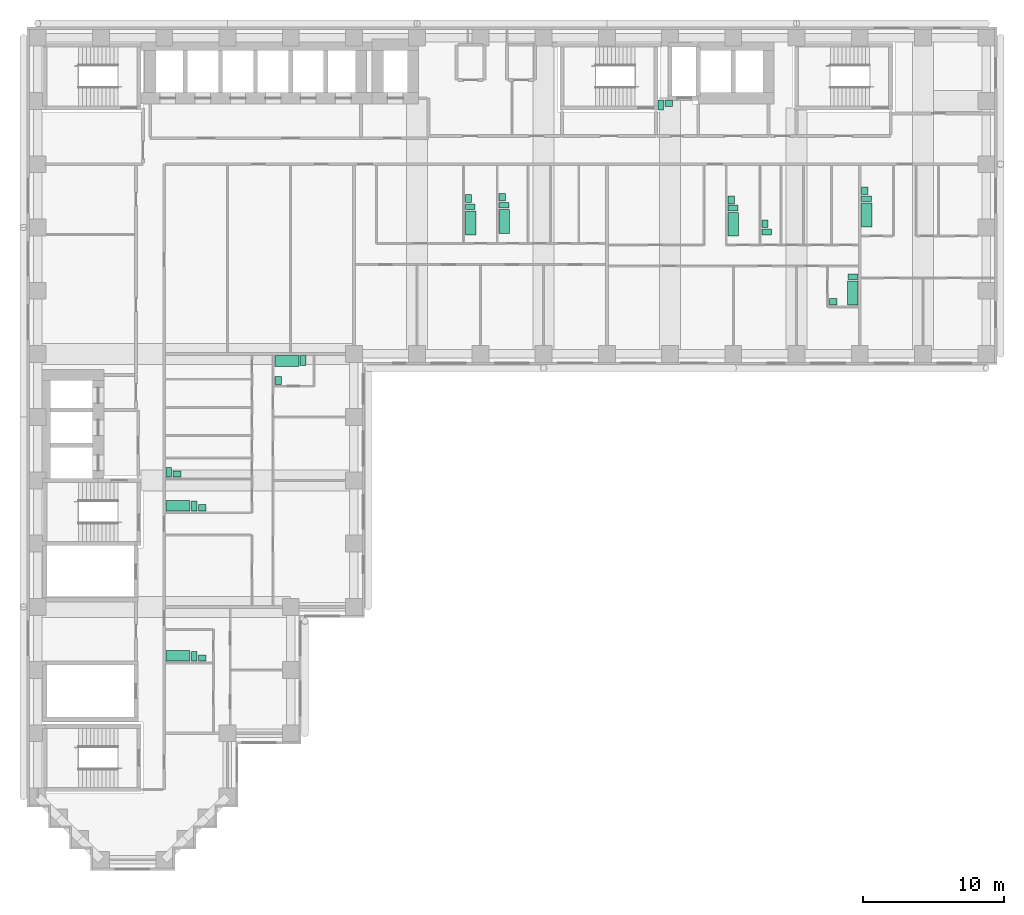
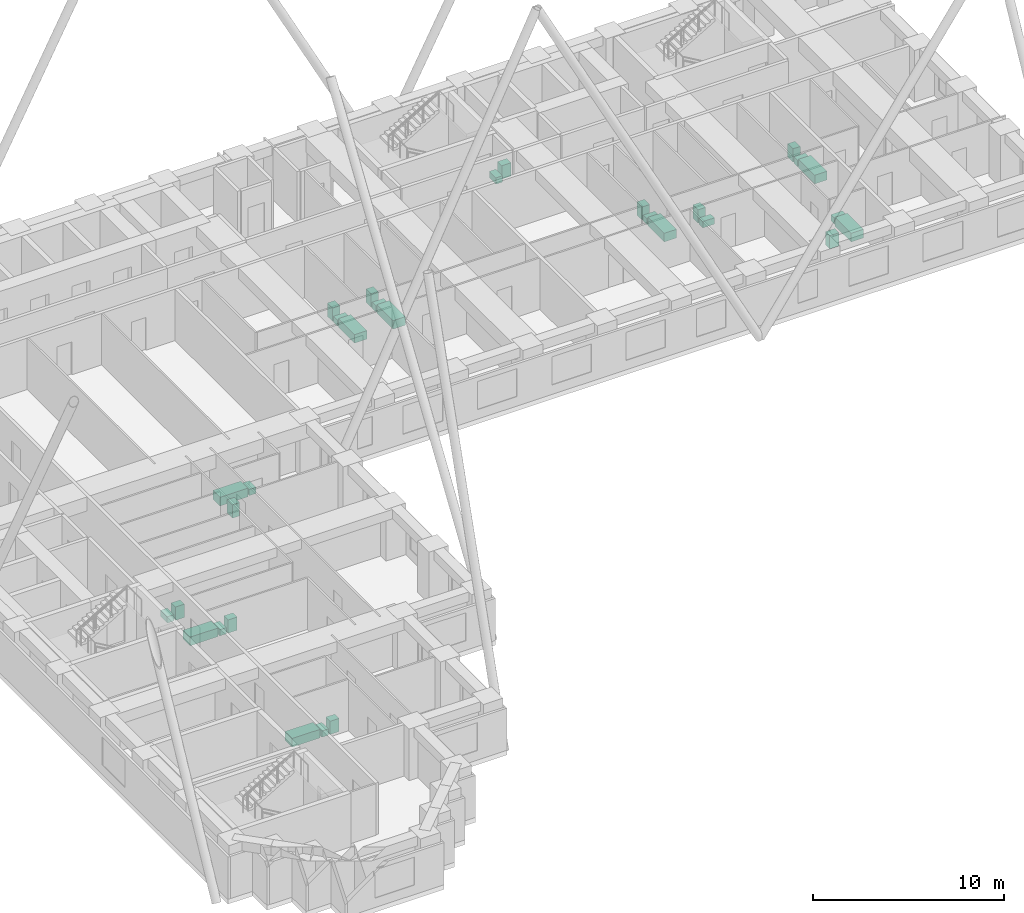
# One storey, part 12 of 12: 30 sanitary terminals.
"""IFC4 building model written with IfcOpenShell, lengths in metres."""

from ifc_helpers import new_model, si_unit, direction, frame, origin, origin_2d, place, context, subcontext, project, spatial, rectangle, extrude, material, type_object, element, save


model = new_model("IFC4")

# Units and contexts
model_context = context("Model", 3, precision=1e-05, world=origin(), true_north=direction((0.0, 1.0)))
body_context = subcontext(model_context, "Body", "Model", "MODEL_VIEW")
ifc_project = project(units=[si_unit("LENGTHUNIT", "METRE"), si_unit("AREAUNIT", "SQUARE_METRE"), si_unit("VOLUMEUNIT", "CUBIC_METRE"), si_unit("PLANEANGLEUNIT", "RADIAN"), si_unit("MASSUNIT", "GRAM", prefix="KILO")], contexts=[model_context])

# Site, building, storey
site_placement = place(None, origin())
site = spatial("IfcSite", under=ifc_project, at=site_placement, CompositionType="ELEMENT")
building_placement = place(site_placement, origin())
building = spatial("IfcBuilding", under=site, at=building_placement, Name="Firuza Court", CompositionType="ELEMENT")
storey_placement = place(building_placement, frame((0.0, 0.0, 93.800048828125)))
storey = spatial("IfcBuildingStorey", under=building, at=storey_placement, Name="L23", CompositionType="ELEMENT", Elevation=93.800048828125)

# Sanitary terminals
ifc_material_1 = material(Name="Vitreous china", Category="ceramic")
sanitary_terminal_type_1 = type_object("IfcSanitaryTerminalType", Name="Fixture Bath", PredefinedType="BATH", material=ifc_material_1)
for number, where, z_axis, x_axis, name in (
    (1, (30.804931640625, 45.330078125, 0.0), (0.0, 0.0, 1.0), (1.0, 0.0, 0.0), "Bath"),
    (2, (33.205078125, 45.429931640625, 0.0), (0.0, 0.0, 1.0), (1.0, 0.0, 0.0), "Bath"),
    (3, (49.5048828125, 45.22998046875, 0.0), (0.0, 0.0, 1.0), (1.0, 0.0, 0.0), "Bath"),
    (4, (57.9951171875, 40.330078125, 0.0), (0.0, 0.0, 1.0), (1.0, 0.0, 0.0), "Bath"),
    (5, (59.0048828125, 45.8798828125, 0.0), (0.0, 0.0, 1.0), (1.0, 0.0, 0.0), "Bath"),
):
    element("IfcSanitaryTerminal", number, at=place(storey_placement, frame(where, z_axis=z_axis, x_axis=x_axis)), inside=storey, type_object=sanitary_terminal_type_1, Name=name, PredefinedType="BATH", context=body_context, shape_type="SweptSolid", body=[
        extrude(rectangle(XDim=0.75, YDim=1.699951171875, at=origin_2d()), origin(), (0.0, 0.0, 1.0), 0.550048828125),
    ])
for number, where, z_axis, x_axis, name in (
    (6, (9.97998046875, 25.205078125, 0.0), (0.0, 0.0, 1.0), (1.0, 0.0, 0.0), "Bath"),
    (7, (17.72998046875, 35.4951171875, 0.0), (0.0, 0.0, 1.0), (1.0, 0.0, 0.0), "Bath"),
    (8, (9.97998046875, 14.5048828125, 0.0), (0.0, 0.0, 1.0), (1.0, 0.0, 0.0), "Bath"),
):
    element("IfcSanitaryTerminal", number, at=place(storey_placement, frame(where, z_axis=z_axis, x_axis=x_axis)), inside=storey, type_object=sanitary_terminal_type_1, Name=name, PredefinedType="BATH", context=body_context, shape_type="SweptSolid", body=[
        extrude(rectangle(XDim=1.699951171875, YDim=0.75, at=origin_2d()), origin(), (0.0, 0.0, 1.0), 0.550048828125),
    ])
ifc_material_2 = material(Name="Vitreous china", Category="ceramic")
sanitary_terminal_type_2 = type_object("IfcSanitaryTerminalType", Name="Fixture WC pan", PredefinedType="TOILETPAN", material=ifc_material_2)
for number, where, z_axis, x_axis, name in (
    (9, (30.780029296875, 46.47998046875, 0.0), (0.0, 0.0, 1.0), (1.0, 0.0, 0.0), "WC pan"),
    (10, (33.179931640625, 46.580078125, 0.0), (0.0, 0.0, 1.0), (1.0, 0.0, 0.0), "WC pan"),
    (11, (49.47998046875, 46.3798828125, 0.0), (0.0, 0.0, 1.0), (1.0, 0.0, 0.0), "WC pan"),
    (12, (51.8798828125, 44.679931640625, 0.0), (0.0, 0.0, 1.0), (1.0, 0.0, 0.0), "WC pan"),
    (13, (58.02001953125, 41.47998046875, 0.0), (0.0, 0.0, 1.0), (1.0, 0.0, 0.0), "WC pan"),
    (14, (58.97998046875, 47.030029296875, 0.0), (0.0, 0.0, 1.0), (1.0, 0.0, 0.0), "WC pan"),
):
    element("IfcSanitaryTerminal", number, at=place(storey_placement, frame(where, z_axis=z_axis, x_axis=x_axis)), inside=storey, type_object=sanitary_terminal_type_2, Name=name, PredefinedType="TOILETPAN", context=body_context, shape_type="SweptSolid", body=[
        extrude(rectangle(XDim=0.699951171875, YDim=0.39990234375, at=origin_2d()), origin(), (0.0, 0.0, 1.0), 0.39990234375),
    ])
for number, where, z_axis, x_axis, name in (
    (15, (11.1298828125, 25.179931640625, 0.0), (0.0, 0.0, 1.0), (1.0, 0.0, 0.0), "WC pan"),
    (16, (9.330078125, 27.580078125, 0.0), (0.0, 0.0, 1.0), (1.0, 0.0, 0.0), "WC pan"),
    (17, (18.8798828125, 35.52001953125, 0.0), (0.0, 0.0, 1.0), (1.0, 0.0, 0.0), "WC pan"),
    (18, (11.1298828125, 14.47998046875, 0.0), (0.0, 0.0, 1.0), (1.0, 0.0, 0.0), "WC pan"),
    (19, (44.330078125, 53.719970703125, 0.0), (0.0, 0.0, 1.0), (1.0, 0.0, 0.0), "WC pan"),
):
    element("IfcSanitaryTerminal", number, at=place(storey_placement, frame(where, z_axis=z_axis, x_axis=x_axis)), inside=storey, type_object=sanitary_terminal_type_2, Name=name, PredefinedType="TOILETPAN", context=body_context, shape_type="SweptSolid", body=[
        extrude(rectangle(XDim=0.39990234375, YDim=0.699951171875, at=origin_2d()), origin(), (0.0, 0.0, 1.0), 0.39990234375),
    ])
ifc_material_3 = material(Name="Vitreous china", Category="ceramic")
sanitary_terminal_type_3 = type_object("IfcSanitaryTerminalType", Name="Fixture Washbasin", PredefinedType="WASHHANDBASIN", material=ifc_material_3)
for number, where, z_axis, x_axis, name in (
    (20, (30.655029296875, 47.054931640625, 0.0), (0.0, 0.0, 1.0), (1.0, 0.0, 0.0), "Washbasin"),
    (21, (33.054931640625, 47.155029296875, 0.0), (0.0, 0.0, 1.0), (1.0, 0.0, 0.0), "Washbasin"),
    (22, (49.35498046875, 46.955078125, 0.0), (0.0, 0.0, 1.0), (1.0, 0.0, 0.0), "Washbasin"),
    (23, (51.7548828125, 45.2548828125, 0.0), (0.0, 0.0, 1.0), (1.0, 0.0, 0.0), "Washbasin"),
):
    element("IfcSanitaryTerminal", number, at=place(storey_placement, frame(where, z_axis=z_axis, x_axis=x_axis)), inside=storey, type_object=sanitary_terminal_type_3, Name=name, PredefinedType="WASHHANDBASIN", context=body_context, shape_type="SweptSolid", body=[
        extrude(rectangle(XDim=0.449951171875, YDim=0.550048828125, at=origin_2d()), origin(), (0.0, 0.0, 1.0), 0.85009765625),
    ])
sanitary_terminal_1_placement = place(storey_placement, frame((56.60498046875, 39.705078125, 0.0), z_axis=(0.0, 0.0, 1.0), x_axis=(1.0, 0.0, 0.0)))
element("IfcSanitaryTerminal", 24, at=sanitary_terminal_1_placement, inside=storey, type_object=sanitary_terminal_type_3, Name="Washbasin", PredefinedType="WASHHANDBASIN", context=body_context, shape_type="SweptSolid", body=[
    extrude(rectangle(XDim=0.550048828125, YDim=0.449951171875, at=origin_2d()), origin(), (0.0, 0.0, 1.0), 0.85009765625),
])
sanitary_terminal_2_placement = place(storey_placement, frame((58.85498046875, 47.60498046875, 0.0), z_axis=(0.0, 0.0, 1.0), x_axis=(1.0, 0.0, 0.0)))
element("IfcSanitaryTerminal", 25, at=sanitary_terminal_2_placement, inside=storey, type_object=sanitary_terminal_type_3, Name="Washbasin", PredefinedType="WASHHANDBASIN", context=body_context, shape_type="SweptSolid", body=[
    extrude(rectangle(XDim=0.449951171875, YDim=0.550048828125, at=origin_2d()), origin(), (0.0, 0.0, 1.0), 0.85009765625),
])
for number, where, z_axis, x_axis, name in (
    (26, (11.705078125, 25.054931640625, 0.0), (0.0, 0.0, 1.0), (1.0, 0.0, 0.0), "Washbasin"),
    (27, (9.905029296875, 27.455078125, 0.0), (0.0, 0.0, 1.0), (1.0, 0.0, 0.0), "Washbasin"),
):
    element("IfcSanitaryTerminal", number, at=place(storey_placement, frame(where, z_axis=z_axis, x_axis=x_axis)), inside=storey, type_object=sanitary_terminal_type_3, Name=name, PredefinedType="WASHHANDBASIN", context=body_context, shape_type="SweptSolid", body=[
        extrude(rectangle(XDim=0.550048828125, YDim=0.449951171875, at=origin_2d()), origin(), (0.0, 0.0, 1.0), 0.85009765625),
    ])
sanitary_terminal_3_placement = place(storey_placement, frame((17.10498046875, 34.10498046875, 0.0), z_axis=(0.0, 0.0, 1.0), x_axis=(1.0, 0.0, 0.0)))
element("IfcSanitaryTerminal", 28, at=sanitary_terminal_3_placement, inside=storey, type_object=sanitary_terminal_type_3, Name="Washbasin", PredefinedType="WASHHANDBASIN", context=body_context, shape_type="SweptSolid", body=[
    extrude(rectangle(XDim=0.449951171875, YDim=0.550048828125, at=origin_2d()), origin(), (0.0, 0.0, 1.0), 0.85009765625),
])
for number, where, z_axis, x_axis, name in (
    (29, (11.705078125, 14.35498046875, 0.0), (0.0, 0.0, 1.0), (1.0, 0.0, 0.0), "Washbasin"),
    (30, (44.905029296875, 53.844970703125, 0.0), (0.0, 0.0, 1.0), (1.0, 0.0, 0.0), "Washbasin"),
):
    element("IfcSanitaryTerminal", number, at=place(storey_placement, frame(where, z_axis=z_axis, x_axis=x_axis)), inside=storey, type_object=sanitary_terminal_type_3, Name=name, PredefinedType="WASHHANDBASIN", context=body_context, shape_type="SweptSolid", body=[
        extrude(rectangle(XDim=0.550048828125, YDim=0.449951171875, at=origin_2d()), origin(), (0.0, 0.0, 1.0), 0.85009765625),
    ])

save(model, "model.ifc")
